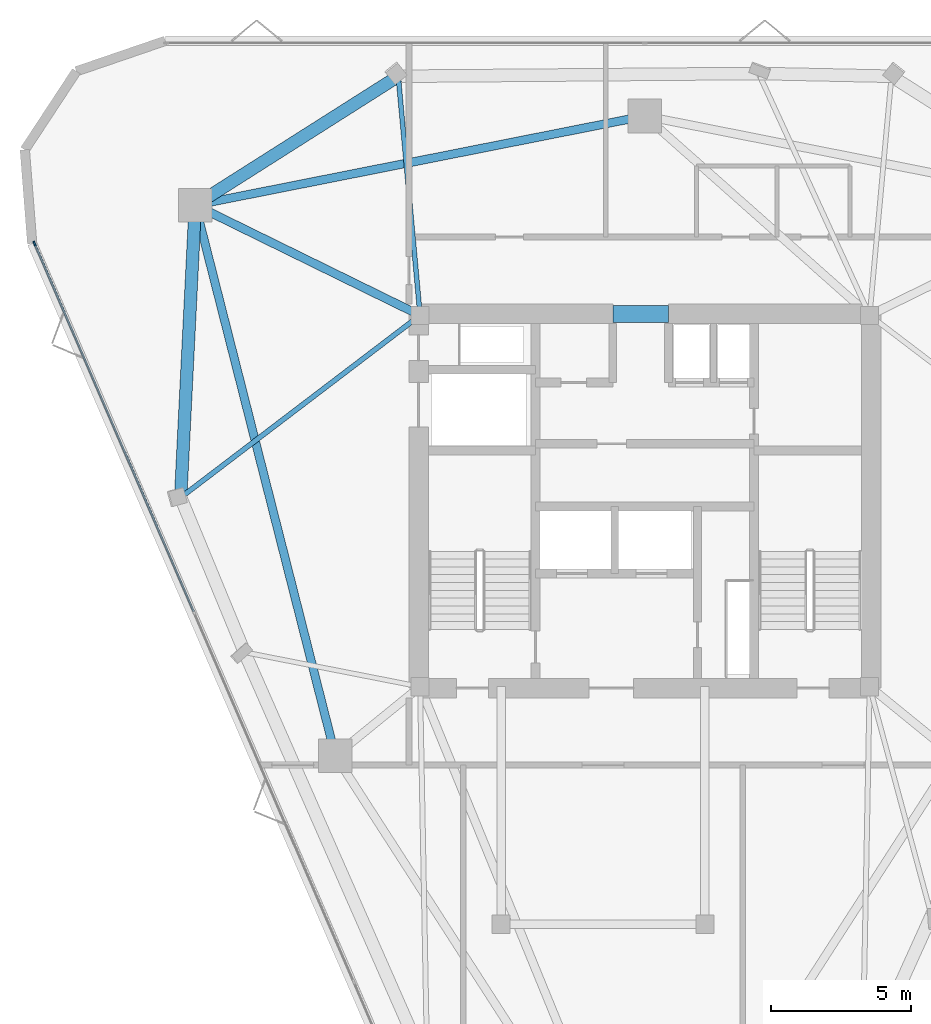
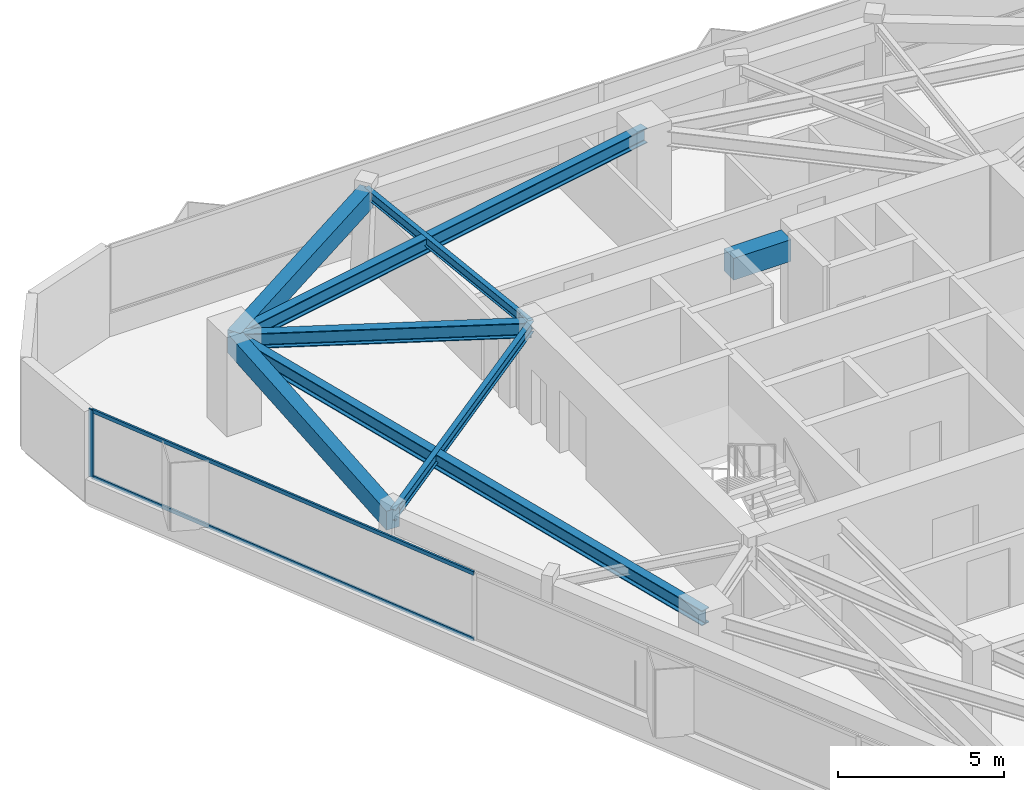
# One storey, part 5 of 11: 8 beams, 3 members, 1 element without a shape of its own.
"""IFC4 building model written with IfcOpenShell, lengths in metres."""

from ifc_helpers import new_model, si_unit, direction, frame, origin, origin_2d, place, context, subcontext, project, spatial, rectangle, i_section, extrude, material, layer, layer_set, material_profile, profile_set, type_object, element, aggregate, save


model = new_model("IFC4")

# Units and contexts
model_context = context("Model", 3, precision=1e-05, world=origin(), true_north=direction((0.0, 1.0)))
body_context = subcontext(model_context, "Body", "Model", "MODEL_VIEW")
ifc_project = project(units=[si_unit("LENGTHUNIT", "METRE"), si_unit("AREAUNIT", "SQUARE_METRE"), si_unit("VOLUMEUNIT", "CUBIC_METRE"), si_unit("PLANEANGLEUNIT", "RADIAN"), si_unit("MASSUNIT", "GRAM", prefix="KILO")], contexts=[model_context])

# Site, building, storey
site_placement = place(None, origin())
site = spatial("IfcSite", under=ifc_project, at=site_placement, CompositionType="ELEMENT")
building_placement = place(site_placement, origin())
building = spatial("IfcBuilding", under=site, at=building_placement, Name="Talyreon Biosciences Tower", CompositionType="ELEMENT")
storey_placement = place(building_placement, frame((0.0, 0.0, 271.75)))
storey = spatial("IfcBuildingStorey", under=building, at=storey_placement, Name="L72", CompositionType="ELEMENT", Elevation=271.75)

# Curtain wall, members
ifc_material_1 = material(Name="Thermally broken aluminium and low-E glazing", Category="aluminium")
ifc_layer = layer(ifc_material_1, 0.175048828125)
ifc_layer_set = layer_set([ifc_layer], Name="Thermally broken aluminium and low-E glazing")
curtain_wall_type = type_object("IfcCurtainWallType", Name="CurtainWall_Zone5CompLab", PredefinedType="NOTDEFINED", material=ifc_layer_set)
curtain_wall_placement = place(storey_placement, origin())
curtain_wall = element("IfcCurtainWall", 1, at=curtain_wall_placement, inside=storey, type_object=curtain_wall_type, Name="L72 Unitised Curtain Wall FCW-L72-00", PredefinedType="NOTDEFINED")
ifc_material_2 = material(Name="Anodised thermally broken aluminium", Category="aluminium")
ifc_material_profile_1 = material_profile(ifc_material_2, rectangle(XDim=0.06494140625, YDim=0.179931640625, at=origin_2d()), Name="ALUM MULLION 65x180")
ifc_profile_set_1 = profile_set([ifc_material_profile_1], Name="Anodised thermally broken aluminium")
member_type_1 = type_object("IfcMemberType", Name="CWMullion_65x180", PredefinedType="MULLION", material=ifc_profile_set_1)
member_1_placement = place(storey_placement, frame((44.140380859375, 77.22216796875, 0.81005859375), z_axis=(0.0, 0.0, 1.0), x_axis=(-0.917867616895, -0.396886681377, 0.0)))
member_1 = element("IfcMember", 2, at=member_1_placement, type_object=member_type_1, Name="CW6 mullion 4", PredefinedType="MULLION", context=body_context, shape_type="SweptSolid", body=[
    extrude(rectangle(XDim=0.06494140625, YDim=0.179931640625, at=origin_2d()), origin(), (0.0, 0.0, 1.0), 2.489990234375),
])
ifc_material_profile_2 = material_profile(ifc_material_2, rectangle(XDim=0.06494140625, YDim=0.139892578125, at=origin_2d()), Name="ALUM TRANSOM 65x140")
ifc_profile_set_2 = profile_set([ifc_material_profile_2], Name="Anodised thermally broken aluminium")
member_type_2 = type_object("IfcMemberType", Name="CWTransom_65x140", PredefinedType="USERDEFINED", material=ifc_profile_set_2)
member_2_placement = place(storey_placement, frame((49.8388671875, 64.04345703125, 0.842529296875), z_axis=(-0.396897569259, 0.91786290889, 0.0), x_axis=(-0.91786290889, -0.396897569259, 0.0)))
member_2 = element("IfcMember", 3, at=member_2_placement, type_object=member_type_2, Name="CW6 transom 3.1", ObjectType="TRANSOM", PredefinedType="USERDEFINED", context=body_context, shape_type="SweptSolid", body=[
    extrude(rectangle(XDim=0.06494140625, YDim=0.139892578125, at=origin_2d()), origin(), (0.0, 0.0, 1.0), 14.32568359375),
])
member_3_placement = place(storey_placement, frame((49.8388671875, 64.04345703125, 3.267578125), z_axis=(-0.396897569259, 0.91786290889, 0.0), x_axis=(-0.91786290889, -0.396897569259, 0.0)))
member_3 = element("IfcMember", 4, at=member_3_placement, type_object=member_type_2, Name="CW6 transom 3.2", ObjectType="TRANSOM", PredefinedType="USERDEFINED", context=body_context, shape_type="SweptSolid", body=[
    extrude(rectangle(XDim=0.06494140625, YDim=0.139892578125, at=origin_2d()), origin(), (0.0, 0.0, 1.0), 14.32568359375),
])
aggregate(curtain_wall, [member_1, member_2, member_3])

# Beams
ifc_material_3 = material(Name="Concrete C50/60", Category="concrete")
ifc_material_profile_3 = material_profile(ifc_material_3, rectangle(XDim=0.60009765625, YDim=0.800048828125, at=origin_2d()), Name="RCB 600x800")
ifc_profile_set_3 = profile_set([ifc_material_profile_3], Name="Concrete C50/60")
beam_type_1 = type_object("IfcBeamType", Name="CoreCouplingLintel_600x800", PredefinedType="LINTEL", material=ifc_profile_set_3)
beam_1_placement = place(storey_placement, frame((64.85009765625, 74.699951171875, 2.89990234375), z_axis=(1.0, 0.0, 0.0), x_axis=(0.0, 1.0, 0.0)))
element("IfcBeam", 5, at=beam_1_placement, inside=storey, type_object=beam_type_1, Name="L72 Core Coupling Lintel", PredefinedType="LINTEL", context=body_context, shape_type="SweptSolid", body=[
    extrude(rectangle(XDim=0.60009765625, YDim=0.800048828125, at=origin_2d()), origin(), (0.0, 0.0, 1.0), 2.0),
])
ifc_material_4 = material(Name="Precast concrete C45/55", Category="concrete")
ifc_material_profile_4 = material_profile(ifc_material_4, rectangle(XDim=0.449951171875, YDim=0.699951171875, at=origin_2d()), Name="RCB 450x700")
ifc_profile_set_4 = profile_set([ifc_material_profile_4], Name="Precast concrete C45/55")
beam_type_2 = type_object("IfcBeamType", Name="ExpressedSpandrel_450x700", PredefinedType="SPANDREL", material=ifc_profile_set_4)
beam_2_placement = place(storey_placement, frame((57.16796875, 83.2119140625, 2.949951171875), z_axis=(-0.844357788085, -0.535779736179, 0.0), x_axis=(0.535779736179, -0.844357788085, 0.0)))
element("IfcBeam", 6, at=beam_2_placement, inside=storey, type_object=beam_type_2, Name="L72 Expressed Horizontal Concrete Spandrel 08", PredefinedType="SPANDREL", context=body_context, shape_type="SweptSolid", body=[
    extrude(rectangle(XDim=0.449951171875, YDim=0.699951171875, at=origin_2d()), origin(), (0.0, 0.0, 1.0), 8.6103515625),
])
beam_3_placement = place(storey_placement, frame((49.897705078125, 78.5986328125, 2.949951171875), z_axis=(-0.049935294763, -0.998752454984, 0.0), x_axis=(0.998752454984, -0.049935294763, 0.0)))
element("IfcBeam", 7, at=beam_3_placement, inside=storey, type_object=beam_type_2, Name="L72 Expressed Horizontal Concrete Spandrel 09", PredefinedType="SPANDREL", context=body_context, shape_type="SweptSolid", body=[
    extrude(rectangle(XDim=0.449951171875, YDim=0.699951171875, at=origin_2d()), origin(), (0.0, 0.0, 1.0), 10.4873046875),
])
ifc_material_5 = material(Name="Steel SM355", Category="steel")
ifc_material_profile_5 = material_profile(ifc_material_5, i_section(OverallWidth=0.300048828125, OverallDepth=0.550048828125, WebThickness=0.014892578125, FlangeThickness=0.029052734375, FilletRadius=0.027099609375, at=origin_2d()), Name="HE550B")
ifc_profile_set_5 = profile_set([ifc_material_profile_5], Name="Steel SM355")
beam_type_3 = type_object("IfcBeamType", Name="SteelBeam_HE550B", PredefinedType="BEAM", material=ifc_profile_set_5)
beam_4_placement = place(storey_placement, frame((66.0, 81.788818359375, 3.02490234375), z_axis=(-0.980933730698, -0.194342522311, 0.0), x_axis=(0.194342522311, -0.980933730698, 0.0)))
element("IfcBeam", 8, at=beam_4_placement, inside=storey, type_object=beam_type_3, Name="L72 Mega-Ring Girder 4", PredefinedType="BEAM", context=body_context, shape_type="SweptSolid", body=[
    extrude(i_section(OverallWidth=0.300048828125, OverallDepth=0.550048828125, WebThickness=0.014892578125, FlangeThickness=0.029052734375, FilletRadius=0.027099609375, at=origin_2d()), origin(), (0.0, 0.0, 1.0), 16.415283203125),
])
beam_5_placement = place(storey_placement, frame((49.897705078125, 78.5986328125, 3.02490234375), z_axis=(0.246537082299, -0.969133358755, 0.0), x_axis=(0.969133358755, 0.246537082299, 0.0)))
element("IfcBeam", 9, at=beam_5_placement, inside=storey, type_object=beam_type_3, Name="L72 Mega-Ring Girder 5", PredefinedType="BEAM", context=body_context, shape_type="SweptSolid", body=[
    extrude(i_section(OverallWidth=0.300048828125, OverallDepth=0.550048828125, WebThickness=0.014892578125, FlangeThickness=0.029052734375, FilletRadius=0.027099609375, at=origin_2d()), origin(), (0.0, 0.0, 1.0), 20.34619140625),
])
beam_6_placement = place(storey_placement, frame((57.949951171875, 74.64990234375, 3.02490234375), z_axis=(-0.897852360314, 0.440296648952, 0.0), x_axis=(-0.440296648952, -0.897852360314, 0.0)))
element("IfcBeam", 10, at=beam_6_placement, inside=storey, type_object=beam_type_3, Name="L72 Radial Primary Girder 5", PredefinedType="BEAM", context=body_context, shape_type="SweptSolid", body=[
    extrude(i_section(OverallWidth=0.300048828125, OverallDepth=0.550048828125, WebThickness=0.014892578125, FlangeThickness=0.029052734375, FilletRadius=0.027099609375, at=origin_2d()), origin(), (0.0, 0.0, 1.0), 8.96826171875),
])
ifc_material_profile_6 = material_profile(ifc_material_5, i_section(OverallWidth=0.169921875, OverallDepth=0.360107421875, WebThickness=0.008056640625, FlangeThickness=0.0126953125, FilletRadius=0.01806640625, at=origin_2d()), Name="IPE360")
ifc_profile_set_6 = profile_set([ifc_material_profile_6], Name="Steel SM355")
beam_type_4 = type_object("IfcBeamType", Name="SteelJoist_IPE360", PredefinedType="JOIST", material=ifc_profile_set_6)
beam_7_placement = place(storey_placement, frame((57.949951171875, 74.64990234375, 3.1201171875), z_axis=(-0.090953069318, 0.995855179824, 0.0), x_axis=(-0.995855179824, -0.090953069318, 0.0)))
element("IfcBeam", 11, at=beam_7_placement, inside=storey, type_object=beam_type_4, Name="L72 Radial Composite Floor Joist PC-N2", PredefinedType="JOIST", context=body_context, shape_type="SweptSolid", body=[
    extrude(i_section(OverallWidth=0.169921875, OverallDepth=0.360107421875, WebThickness=0.008056640625, FlangeThickness=0.0126953125, FilletRadius=0.01806640625, at=origin_2d()), origin(), (0.0, 0.0, 1.0), 8.59765625),
])
ifc_material_profile_7 = material_profile(ifc_material_5, i_section(OverallWidth=0.179931640625, OverallDepth=0.39990234375, WebThickness=0.008544921875, FlangeThickness=0.013427734375, FilletRadius=0.02099609375, at=origin_2d()), Name="IPE400")
ifc_profile_set_7 = profile_set([ifc_material_profile_7], Name="Steel SM355")
beam_type_5 = type_object("IfcBeamType", Name="SteelJoist_IPE400", PredefinedType="JOIST", material=ifc_profile_set_7)
beam_8_placement = place(storey_placement, frame((57.949951171875, 74.64990234375, 3.10009765625), z_axis=(-0.795818488538, -0.6055352453, 0.0), x_axis=(0.6055352453, -0.795818488538, 0.0)))
element("IfcBeam", 12, at=beam_8_placement, inside=storey, type_object=beam_type_5, Name="L72 Radial Composite Floor Joist PC-SW1", PredefinedType="JOIST", context=body_context, shape_type="SweptSolid", body=[
    extrude(i_section(OverallWidth=0.179931640625, OverallDepth=0.39990234375, WebThickness=0.008544921875, FlangeThickness=0.013427734375, FilletRadius=0.02099609375, at=origin_2d()), origin(), (0.0, 0.0, 1.0), 10.776123046875),
])

save(model, "model.ifc")
